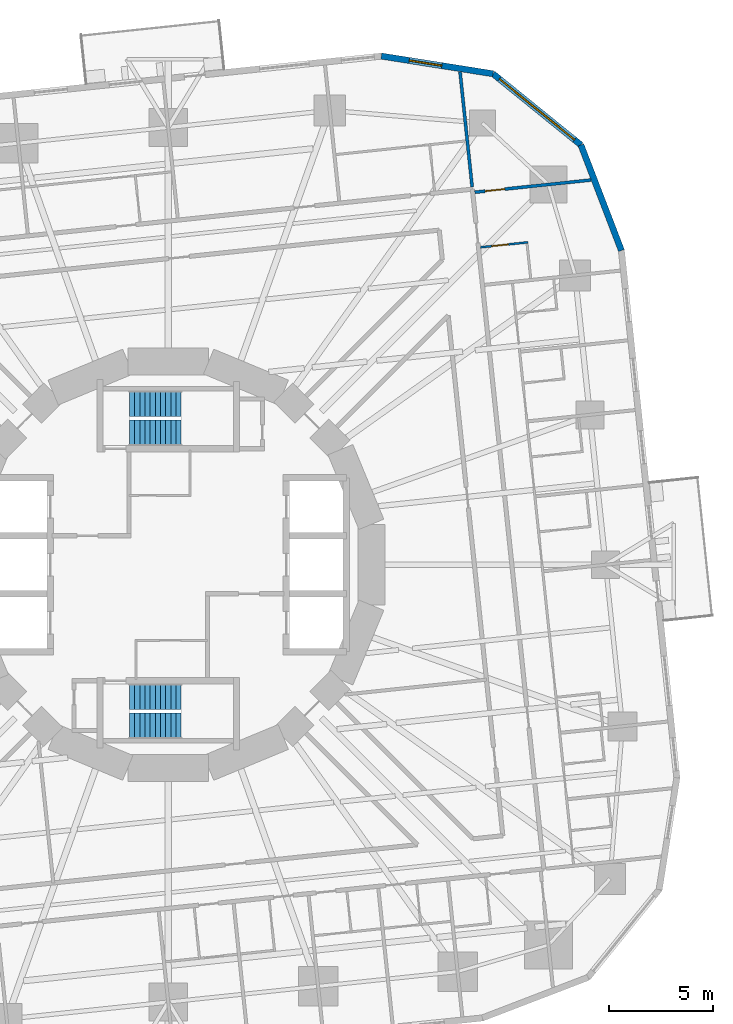
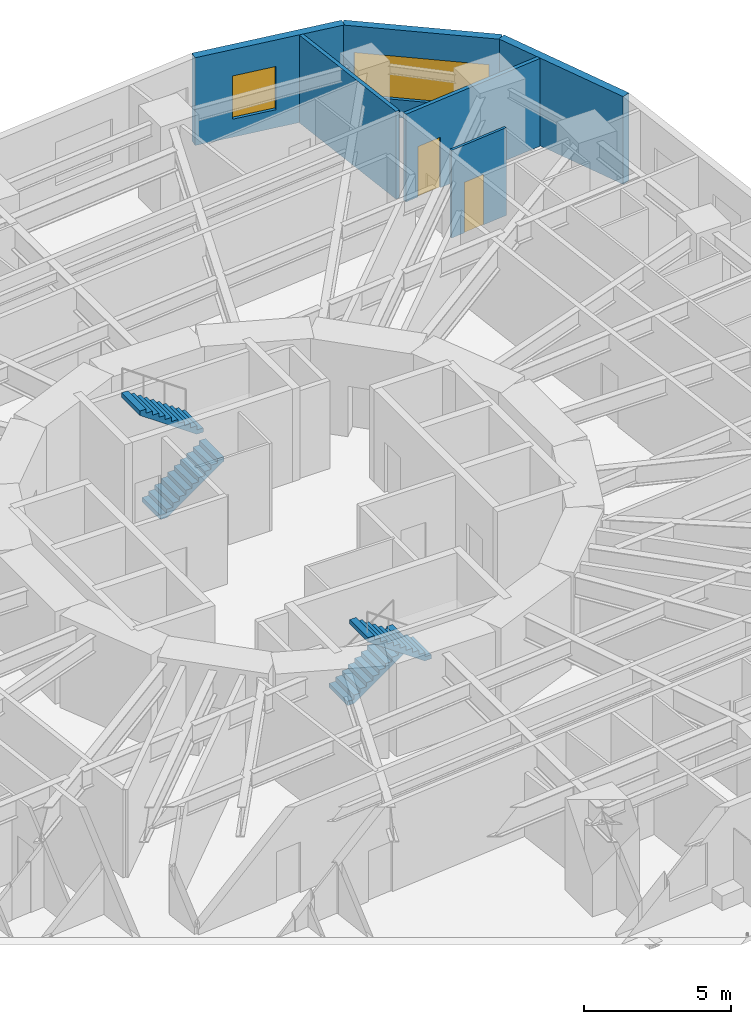
# One storey, part 12 of 14: 6 walls, 4 stair flights, 2 doors, 2 windows, 4 openings, 2 elements without a shape of their own.
"""IFC4 building model written with IfcOpenShell, lengths in metres."""

from ifc_helpers import new_model, si_unit, direction, frame, frame_2d, origin, place, context, subcontext, project, spatial, polyline, rectangle, outline, extrude, material, layer, layer_set, type_object, element, fill, aggregate, save


model = new_model("IFC4")

# Units and contexts
model_context = context("Model", 3, precision=1e-05, world=origin(), true_north=direction((0.0, 1.0)))
body_context = subcontext(model_context, "Body", "Model", "MODEL_VIEW")
ifc_project = project(units=[si_unit("LENGTHUNIT", "METRE"), si_unit("AREAUNIT", "SQUARE_METRE"), si_unit("VOLUMEUNIT", "CUBIC_METRE"), si_unit("PLANEANGLEUNIT", "RADIAN"), si_unit("MASSUNIT", "GRAM", prefix="KILO")], contexts=[model_context])

# Site, building, storey
site_placement = place(None, origin())
site = spatial("IfcSite", under=ifc_project, at=site_placement, CompositionType="ELEMENT")
building_placement = place(site_placement, origin())
building = spatial("IfcBuilding", under=site, at=building_placement, Name="Nakasero Lantern House", CompositionType="ELEMENT")
storey_placement = place(building_placement, frame((0.0, 0.0, 87.449951171875)))
storey = spatial("IfcBuildingStorey", under=building, at=storey_placement, Name="L21", CompositionType="ELEMENT", Elevation=87.449951171875)

# Wall, opening, door
ifc_material_1 = material(Name="Blockwork", Category="masonry")
ifc_layer_1 = layer(ifc_material_1, 0.10009765625)
ifc_layer_set_1 = layer_set([ifc_layer_1], Name="En-suite wall 100")
wall_type_1 = type_object("IfcWallType", Name="En-suite wall 100", PredefinedType="PARTITIONING", material=ifc_layer_set_1)
wall_1_placement = place(storey_placement, frame((15.08056640625, 15.326416015625, 0.0), z_axis=(0.0, 0.0, 1.0), x_axis=(0.994518822602, 0.104557694553, 0.0)))
wall_1 = element("IfcWall", 1, at=wall_1_placement, inside=storey, type_object=wall_type_1, Name="En-suite wall L21 ES0-08", PredefinedType="PARTITIONING", context=body_context, shape_type="SweptSolid", body=[
    extrude(rectangle(XDim=2.300048828125, YDim=0.10009765625, at=frame_2d((1.14990234375, 0.0))), origin(), (0.0, 0.0, 1.0), 3.650146484375),
])
opening_1_placement = place(wall_1_placement, frame((0.550048828125, 0.0, 0.0)))
opening_1 = element("IfcOpeningElement", 2, at=opening_1_placement, cuts=wall_1, Name="Opening D02", PredefinedType="OPENING", context=body_context, shape_type="SweptSolid", body=[
    extrude(rectangle(XDim=0.800048828125, YDim=2.10009765625, at=frame_2d((0.39990234375, 1.050048828125))), frame((0.0, 0.070068359375, 0.0), z_axis=(0.0, -1.0, 0.0), x_axis=(1.0, 0.0, 0.0)), (0.0, 0.0, 1.0), 0.14013671875),
])
ifc_material_2 = material(Name="Timber C24", Category="wood")
door_type_1 = type_object("IfcDoorType", Name="En-suite door 800", OperationType="SINGLE_SWING_RIGHT", PredefinedType="DOOR", material=ifc_material_2)
door_1_placement = place(opening_1_placement, origin())
door_1 = element("IfcDoor", 3, at=door_1_placement, inside=storey, type_object=door_type_1, Name="Door L21 DE0-08", OperationType="SINGLE_SWING_LEFT", OverallHeight=2.10009765625, OverallWidth=0.800048828125, PredefinedType="DOOR", context=body_context, shape_type="SweptSolid", body=[
    extrude(rectangle(XDim=0.800048828125, YDim=2.10009765625, at=frame_2d((0.39990234375, 1.050048828125))), frame((0.0, 0.02490234375, 0.0), z_axis=(0.0, -1.0, 0.0), x_axis=(1.0, 0.0, 0.0)), (0.0, 0.0, 1.0), 0.050048828125),
])
fill(opening_1, door_1)

# Wall
ifc_material_3 = material(Name="Aluminium rainscreen on blockwork", Category="masonry")
ifc_layer_2 = layer(ifc_material_3, 0.300048828125)
ifc_layer_set_2 = layer_set([ifc_layer_2], Name="Facade wall 300")
wall_type_2 = type_object("IfcWallType", Name="Facade wall 300", PredefinedType="SOLIDWALL", material=ifc_layer_set_2)
wall_2_placement = place(storey_placement, frame((21.884033203125, 15.170654296875, 0.0), z_axis=(0.0, 0.0, 1.0), x_axis=(-0.358358884793, 0.933583906079, 0.0)))
element("IfcWall", 4, at=wall_2_placement, inside=storey, type_object=wall_type_2, Name="Facade wall L21 FW0C1", PredefinedType="SOLIDWALL", context=body_context, shape_type="SweptSolid", body=[
    extrude(rectangle(XDim=5.461181640625, YDim=0.300048828125, at=frame_2d((2.73046875, 0.0))), origin(), (0.0, 0.0, 1.0), 3.650146484375),
])

# Wall, opening, window
wall_3_placement = place(storey_placement, frame((19.927001953125, 20.26904296875, 0.0), z_axis=(0.0, 0.0, 1.0), x_axis=(-0.777134500863, 0.629334543442, 0.0)))
wall_3 = element("IfcWall", 5, at=wall_3_placement, inside=storey, type_object=wall_type_2, Name="Facade wall L21 FW0C2", PredefinedType="SOLIDWALL", context=body_context, shape_type="SweptSolid", body=[
    extrude(rectangle(XDim=5.4609375, YDim=0.300048828125, at=frame_2d((2.73046875, 0.0))), origin(), (0.0, 0.0, 1.0), 3.650146484375),
])
opening_2_placement = place(wall_3_placement, frame((0.39990234375, 0.0, 0.75)))
opening_2 = element("IfcOpeningElement", 6, at=opening_2_placement, cuts=wall_3, Name="Opening W246", PredefinedType="OPENING", context=body_context, shape_type="SweptSolid", body=[
    extrude(rectangle(XDim=4.660888671875, YDim=1.800048828125, at=frame_2d((2.33056640625, 0.89990234375))), frame((0.0, 0.169921875, 0.0), z_axis=(0.0, -1.0, 0.0), x_axis=(1.0, 0.0, 0.0)), (0.0, 0.0, 1.0), 0.340087890625),
])
ifc_material_4 = material(Name="Aluminium 6063-T6 and glass", Category="aluminium")
window_type_1 = type_object("IfcWindowType", Name="Corner window 4661x1800", PartitioningType="SINGLE_PANEL", PredefinedType="WINDOW", material=ifc_material_4)
window_1_placement = place(opening_2_placement, origin())
window_1 = element("IfcWindow", 7, at=window_1_placement, inside=storey, type_object=window_type_1, Name="Window L21 WC0", OverallHeight=1.800048828125, OverallWidth=4.660888671875, PartitioningType="SINGLE_PANEL", PredefinedType="WINDOW", context=body_context, shape_type="SweptSolid", body=[
    extrude(rectangle(XDim=4.660888671875, YDim=1.800048828125, at=frame_2d((2.33056640625, 0.89990234375))), frame((0.0, 0.030029296875, 0.0), z_axis=(0.0, -1.0, 0.0), x_axis=(1.0, 0.0, 0.0)), (0.0, 0.0, 1.0), 0.06005859375),
])
fill(opening_2, window_1)

wall_4_placement = place(storey_placement, frame((15.68310546875, 23.705810546875, 0.0), z_axis=(0.0, 0.0, 1.0), x_axis=(-0.987690729142, 0.156419383601, 0.0)))
wall_4 = element("IfcWall", 8, at=wall_4_placement, inside=storey, type_object=wall_type_2, Name="Facade wall L21 FW0C3", PredefinedType="SOLIDWALL", context=body_context, shape_type="SweptSolid", body=[
    extrude(rectangle(XDim=5.461181640625, YDim=0.300048828125, at=frame_2d((2.73046875, 0.0))), origin(), (0.0, 0.0, 1.0), 3.650146484375),
])
opening_3_placement = place(wall_4_placement, frame((2.5, 0.0, 0.75)))
opening_3 = element("IfcOpeningElement", 9, at=opening_3_placement, cuts=wall_4, Name="Opening W01", PredefinedType="OPENING", context=body_context, shape_type="SweptSolid", body=[
    extrude(rectangle(XDim=1.60009765625, YDim=1.800048828125, at=frame_2d((0.800048828125, 0.89990234375))), frame((0.0, 0.169921875, 0.0), z_axis=(0.0, -1.0, 0.0), x_axis=(1.0, 0.0, 0.0)), (0.0, 0.0, 1.0), 0.340087890625),
])
ifc_material_5 = material(Name="Aluminium 6063-T6 and glass", Category="aluminium")
window_type_2 = type_object("IfcWindowType", Name="Bedroom window 1600x1800", PartitioningType="SINGLE_PANEL", PredefinedType="WINDOW", material=ifc_material_5)
window_2_placement = place(opening_3_placement, origin())
window_2 = element("IfcWindow", 10, at=window_2_placement, inside=storey, type_object=window_type_2, Name="Window L21 WN1-00", OverallHeight=1.800048828125, OverallWidth=1.60009765625, PartitioningType="SINGLE_PANEL", PredefinedType="WINDOW", context=body_context, shape_type="SweptSolid", body=[
    extrude(rectangle(XDim=1.60009765625, YDim=1.800048828125, at=frame_2d((0.800048828125, 0.89990234375))), frame((0.0, 0.030029296875, 0.0), z_axis=(0.0, -1.0, 0.0), x_axis=(1.0, 0.0, 0.0)), (0.0, 0.0, 1.0), 0.06005859375),
])
fill(opening_3, window_2)

# Wall, opening, door
ifc_material_6 = material(Name="Blockwork", Category="masonry")
ifc_layer_3 = layer(ifc_material_6, 0.14990234375)
ifc_layer_set_3 = layer_set([ifc_layer_3], Name="Party wall 150")
wall_type_3 = type_object("IfcWallType", Name="Party wall 150", PredefinedType="PARTITIONING", material=ifc_layer_set_3)
wall_5_placement = place(storey_placement, frame((14.801025390625, 17.9853515625, 0.0), z_axis=(0.0, 0.0, 1.0), x_axis=(0.994522751177, 0.104520320471, 0.0)))
wall_5 = element("IfcWall", 11, at=wall_5_placement, inside=storey, type_object=wall_type_3, Name="Party wall L21 PC0", PredefinedType="PARTITIONING", context=body_context, shape_type="SweptSolid", body=[
    extrude(rectangle(XDim=5.64111328125, YDim=0.14990234375, at=frame_2d((2.820556640625, 0.0))), origin(), (0.0, 0.0, 1.0), 3.650146484375),
])
opening_4_placement = place(wall_5_placement, frame((0.5, 0.0, 0.0)))
opening_4 = element("IfcOpeningElement", 12, at=opening_4_placement, cuts=wall_5, Name="Opening D01", PredefinedType="OPENING", context=body_context, shape_type="SweptSolid", body=[
    extrude(rectangle(XDim=0.949951171875, YDim=2.10009765625, at=frame_2d((0.47509765625, 1.050048828125))), frame((0.0, 0.094970703125, 0.0), z_axis=(0.0, -1.0, 0.0), x_axis=(1.0, 0.0, 0.0)), (0.0, 0.0, 1.0), 0.18994140625),
])
ifc_material_7 = material(Name="Timber C24", Category="wood")
door_type_2 = type_object("IfcDoorType", Name="Bedroom door FD30S 950", OperationType="SINGLE_SWING_LEFT", PredefinedType="DOOR", material=ifc_material_7)
door_2_placement = place(opening_4_placement, origin())
door_2 = element("IfcDoor", 13, at=door_2_placement, inside=storey, type_object=door_type_2, Name="Door L21 DC0", OperationType="SINGLE_SWING_LEFT", OverallHeight=2.10009765625, OverallWidth=0.949951171875, PredefinedType="DOOR", context=body_context, shape_type="SweptSolid", body=[
    extrude(rectangle(XDim=0.949951171875, YDim=2.10009765625, at=frame_2d((0.47509765625, 1.050048828125))), frame((0.0, 0.02490234375, 0.0), z_axis=(0.0, -1.0, 0.0), x_axis=(1.0, 0.0, 0.0)), (0.0, 0.0, 1.0), 0.050048828125),
])
fill(opening_4, door_2)

# Wall
wall_6_placement = place(storey_placement, frame((14.674560546875, 18.23388671875, 0.0), z_axis=(0.0, 0.0, 1.0), x_axis=(-0.104541754786, 0.994520498284, 0.0)))
element("IfcWall", 14, at=wall_6_placement, inside=storey, type_object=wall_type_3, Name="Party wall L21 PW1-00", PredefinedType="PARTITIONING", context=body_context, shape_type="SweptSolid", body=[
    extrude(rectangle(XDim=5.597900390625, YDim=0.14990234375, at=frame_2d((2.798828125, 0.0))), origin(), (0.0, 0.0, 1.0), 3.650146484375),
])

# Stair, stair flights
ifc_material_8 = material(Name="Concrete C40/50", Category="concrete")
stair_type_1 = type_object("IfcStairType", Name="Escape stair ST1 22 risers", PredefinedType="HALF_TURN_STAIR", material=ifc_material_8)
stair_1_placement = place(storey_placement, origin())
stair_1 = element("IfcStair", 15, at=stair_1_placement, inside=storey, type_object=stair_type_1, Name="Escape stair ST1 L21", PredefinedType="HALF_TURN_STAIR")
ifc_material_9 = material(Name="Concrete C40/50", Category="concrete")
stair_flight_type = type_object("IfcStairFlightType", Name="Escape stair flight", PredefinedType="STRAIGHT", material=ifc_material_9)
stair_flight_1_placement = place(storey_placement, frame((-1.875, 6.375, 0.0), z_axis=(0.0, 0.0, 1.0), x_axis=(1.0, 0.0, 0.0)))
stair_flight_1 = element("IfcStairFlight", 16, at=stair_flight_1_placement, type_object=stair_flight_type, Name="ST1 flight 1", NumberOfRisers=11, NumberOfTreads=10, PredefinedType="STRAIGHT", RiserHeight=0.175, TreadLength=0.25, context=body_context, shape_type="SweptSolid", body=[
    extrude(outline(polyline([(0.0, 0.0), (0.0, 0.175048828125), (0.25, 0.175048828125), (0.25, 0.35009765625), (0.5, 0.35009765625), (0.5, 0.52490234375), (0.75, 0.52490234375), (0.75, 0.699951171875), (1.0, 0.699951171875), (1.0, 0.875), (1.25, 0.875), (1.25, 1.050048828125), (1.5, 1.050048828125), (1.5, 1.22509765625), (1.75, 1.22509765625), (1.75, 1.39990234375), (2.0, 1.39990234375), (2.0, 1.574951171875), (2.25, 1.574951171875), (2.25, 1.75), (2.5, 1.75), (2.5, 1.925048828125), (2.5, 1.567138671875), (0.261474609375, 0.0), (0.0, 0.0)])), frame((0.0, 0.625, 0.0), z_axis=(0.0, -1.0, 0.0), x_axis=(1.0, 0.0, 0.0)), (0.0, 0.0, 1.0), 1.25),
])
stair_flight_2_placement = place(storey_placement, frame((0.625, 7.77490234375, 1.925048828125), z_axis=(0.0, 0.0, 1.0), x_axis=(-1.0, 0.0, 0.0)))
stair_flight_2 = element("IfcStairFlight", 17, at=stair_flight_2_placement, type_object=stair_flight_type, Name="ST1 flight 2", NumberOfRisers=11, NumberOfTreads=10, PredefinedType="STRAIGHT", RiserHeight=0.175, TreadLength=0.25, context=body_context, shape_type="SweptSolid", body=[
    extrude(outline(polyline([(0.0, 0.0), (0.0, 0.175048828125), (0.25, 0.175048828125), (0.25, 0.35009765625), (0.5, 0.35009765625), (0.5, 0.52490234375), (0.75, 0.52490234375), (0.75, 0.699951171875), (1.0, 0.699951171875), (1.0, 0.875), (1.25, 0.875), (1.25, 1.050048828125), (1.5, 1.050048828125), (1.5, 1.22509765625), (1.75, 1.22509765625), (1.75, 1.39990234375), (2.0, 1.39990234375), (2.0, 1.574951171875), (2.25, 1.574951171875), (2.25, 1.75), (2.5, 1.75), (2.5, 1.925048828125), (2.5, 1.567138671875), (0.261474609375, 0.0), (0.0, 0.0)])), frame((0.0, 0.625, 0.0), z_axis=(0.0, -1.0, 0.0), x_axis=(1.0, 0.0, 0.0)), (0.0, 0.0, 1.0), 1.25),
])
aggregate(stair_1, [stair_flight_1, stair_flight_2])

ifc_material_10 = material(Name="Concrete C40/50", Category="concrete")
stair_type_2 = type_object("IfcStairType", Name="Escape stair ST2 22 risers", PredefinedType="HALF_TURN_STAIR", material=ifc_material_10)
stair_2_placement = place(storey_placement, origin())
stair_2 = element("IfcStair", 18, at=stair_2_placement, inside=storey, type_object=stair_type_2, Name="Escape stair ST2 L21", PredefinedType="HALF_TURN_STAIR")
stair_flight_3_placement = place(storey_placement, frame((-1.875, -6.375, 0.0), z_axis=(0.0, 0.0, 1.0), x_axis=(1.0, 0.0, 0.0)))
stair_flight_3 = element("IfcStairFlight", 19, at=stair_flight_3_placement, type_object=stair_flight_type, Name="ST2 flight 1", NumberOfRisers=11, NumberOfTreads=10, PredefinedType="STRAIGHT", RiserHeight=0.175, TreadLength=0.25, context=body_context, shape_type="SweptSolid", body=[
    extrude(outline(polyline([(0.0, 0.0), (0.0, 0.175048828125), (0.25, 0.175048828125), (0.25, 0.35009765625), (0.5, 0.35009765625), (0.5, 0.52490234375), (0.75, 0.52490234375), (0.75, 0.699951171875), (1.0, 0.699951171875), (1.0, 0.875), (1.25, 0.875), (1.25, 1.050048828125), (1.5, 1.050048828125), (1.5, 1.22509765625), (1.75, 1.22509765625), (1.75, 1.39990234375), (2.0, 1.39990234375), (2.0, 1.574951171875), (2.25, 1.574951171875), (2.25, 1.75), (2.5, 1.75), (2.5, 1.925048828125), (2.5, 1.567138671875), (0.261474609375, 0.0), (0.0, 0.0)])), frame((0.0, 0.625, 0.0), z_axis=(0.0, -1.0, 0.0), x_axis=(1.0, 0.0, 0.0)), (0.0, 0.0, 1.0), 1.25),
])
stair_flight_4_placement = place(storey_placement, frame((0.625, -7.77490234375, 1.925048828125), z_axis=(0.0, 0.0, 1.0), x_axis=(-1.0, 0.0, 0.0)))
stair_flight_4 = element("IfcStairFlight", 20, at=stair_flight_4_placement, type_object=stair_flight_type, Name="ST2 flight 2", NumberOfRisers=11, NumberOfTreads=10, PredefinedType="STRAIGHT", RiserHeight=0.175, TreadLength=0.25, context=body_context, shape_type="SweptSolid", body=[
    extrude(outline(polyline([(0.0, 0.0), (0.0, 0.175048828125), (0.25, 0.175048828125), (0.25, 0.35009765625), (0.5, 0.35009765625), (0.5, 0.52490234375), (0.75, 0.52490234375), (0.75, 0.699951171875), (1.0, 0.699951171875), (1.0, 0.875), (1.25, 0.875), (1.25, 1.050048828125), (1.5, 1.050048828125), (1.5, 1.22509765625), (1.75, 1.22509765625), (1.75, 1.39990234375), (2.0, 1.39990234375), (2.0, 1.574951171875), (2.25, 1.574951171875), (2.25, 1.75), (2.5, 1.75), (2.5, 1.925048828125), (2.5, 1.567138671875), (0.261474609375, 0.0), (0.0, 0.0)])), frame((0.0, 0.625, 0.0), z_axis=(0.0, -1.0, 0.0), x_axis=(1.0, 0.0, 0.0)), (0.0, 0.0, 1.0), 1.25),
])
aggregate(stair_2, [stair_flight_3, stair_flight_4])

save(model, "model.ifc")
